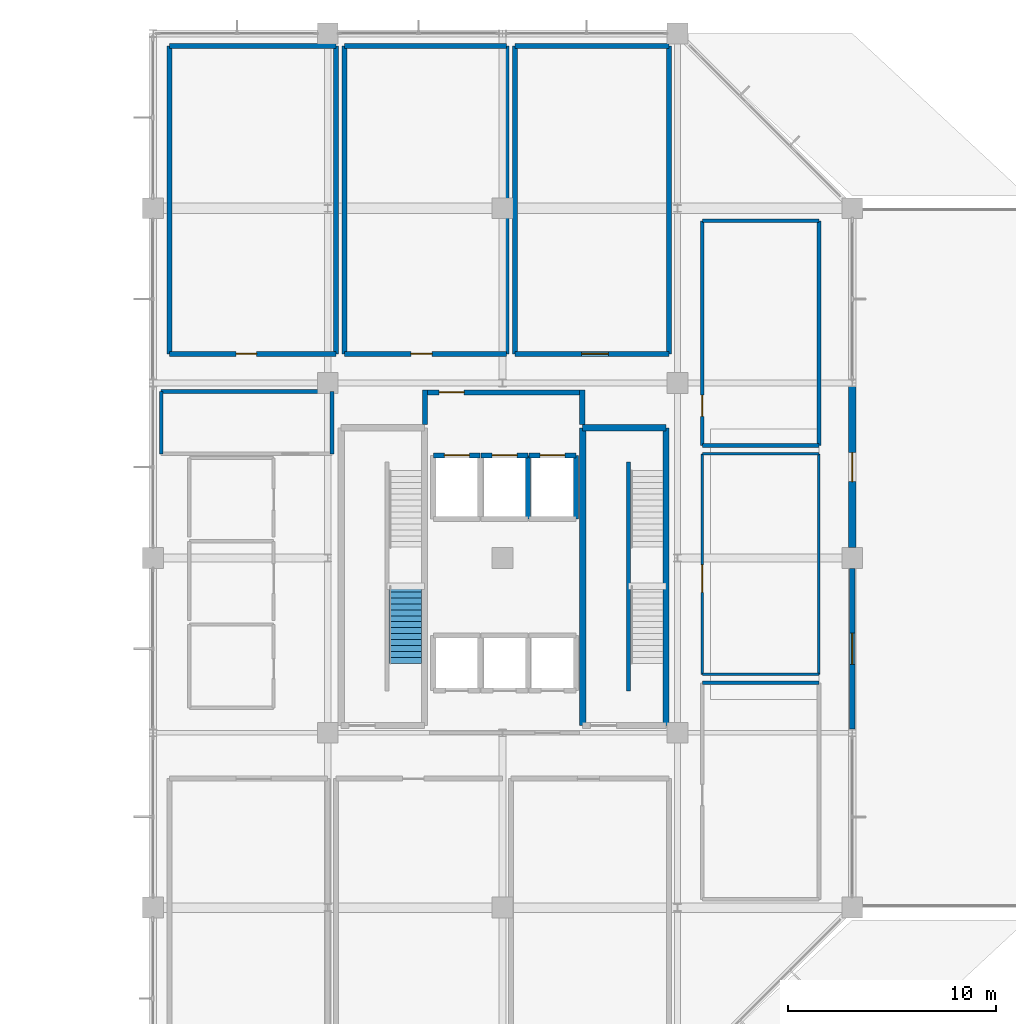
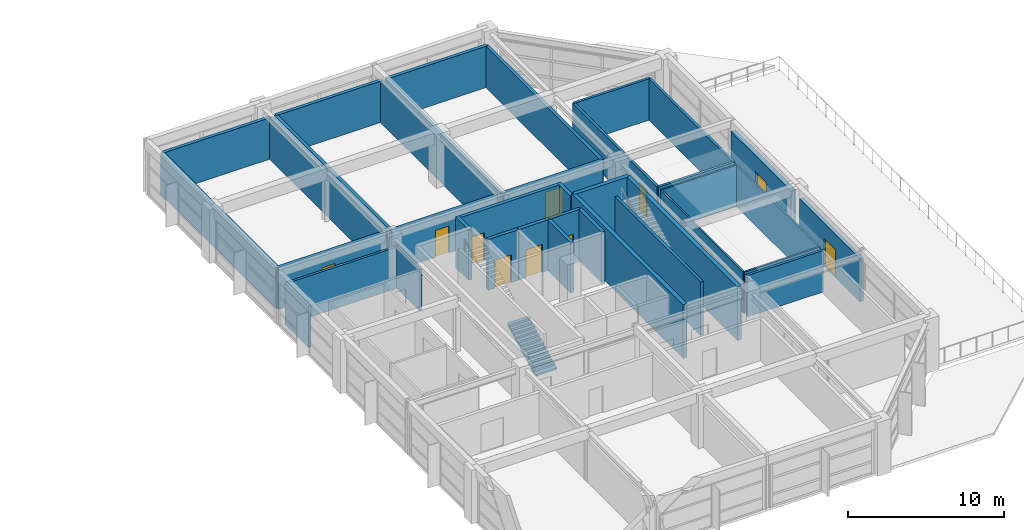
# One storey, part 18 of 21: 38 walls, 11 doors, 1 stair flight, 11 openings, 1 element without a shape of its own.
"""IFC4 building model written with IfcOpenShell, lengths in metres."""

from ifc_helpers import new_model, si_unit, direction, frame, frame_2d, origin, place, context, subcontext, project, spatial, polyline, rectangle, outline, extrude, material, layer, layer_set, type_object, element, fill, aggregate, save


model = new_model("IFC4")

# Units and contexts
model_context = context("Model", 3, precision=1e-05, world=origin(), true_north=direction((0.0, 1.0)))
body_context = subcontext(model_context, "Body", "Model", "MODEL_VIEW")
ifc_project = project(units=[si_unit("LENGTHUNIT", "METRE"), si_unit("AREAUNIT", "SQUARE_METRE"), si_unit("VOLUMEUNIT", "CUBIC_METRE"), si_unit("PLANEANGLEUNIT", "RADIAN"), si_unit("MASSUNIT", "GRAM", prefix="KILO")], contexts=[model_context])

# Site, building, storey
site_placement = place(None, origin())
site = spatial("IfcSite", under=ifc_project, at=site_placement, CompositionType="ELEMENT")
building_placement = place(site_placement, origin())
building = spatial("IfcBuilding", under=site, at=building_placement, Name="Xuanlan Plaza Opera House", CompositionType="ELEMENT")
storey_placement = place(building_placement, frame((0.0, 0.0, 44.699951171875)))
storey = spatial("IfcBuildingStorey", under=building, at=storey_placement, Name="L10", CompositionType="ELEMENT", Elevation=44.699951171875)

# Wall, opening, door
ifc_material_1 = material(Name="Anodised Aluminium 6063-T6 and Rockwool Cladding", Category="aluminium")
ifc_layer_1 = layer(ifc_material_1, 0.360107421875)
ifc_layer_set_1 = layer_set([ifc_layer_1], Name="Anodised Aluminium 6063-T6 and Rockwool Cladding")
wall_type_1 = type_object("IfcWallType", Name="ENV-WL-EW-01", PredefinedType="STANDARD", material=ifc_layer_set_1)
wall_1_placement = place(storey_placement, frame((159.60009765625, 59.300048828125, 0.0), z_axis=(0.0, 0.0, 1.0), x_axis=(0.0, 1.0, 0.0)))
wall_1 = element("IfcWall", 1, at=wall_1_placement, inside=storey, type_object=wall_type_1, Name="Exterior Wall L10-007", PredefinedType="STANDARD", context=body_context, shape_type="SweptSolid", body=[
    extrude(rectangle(XDim=7.724853515625, YDim=0.360107421875, at=frame_2d((3.8623046875, 0.0))), origin(), (0.0, 0.0, 1.0), 3.380126953125),
])
opening_1_placement = place(wall_1_placement, frame((3.1630859375, 0.0, 0.0)))
opening_1 = element("IfcOpeningElement", 2, at=opening_1_placement, cuts=wall_1, Name="Opening TD-03", PredefinedType="OPENING", context=body_context, shape_type="SweptSolid", body=[
    extrude(rectangle(XDim=1.39990234375, YDim=2.14990234375, at=frame_2d((0.699951171875, 1.074951171875))), frame((0.0, 0.18994140625, 0.0), z_axis=(0.0, -1.0, 0.0), x_axis=(1.0, 0.0, 0.0)), (0.0, 0.0, 1.0), 0.380126953125),
])
ifc_material_2 = material(Name="Anodised Aluminium 6063-T6 and Laminated Safety Glass", Category="aluminium")
door_type_1 = type_object("IfcDoorType", Name="ENV-DR-TD-03", OperationType="DOUBLE_DOOR_SINGLE_SWING", PredefinedType="DOOR", material=ifc_material_2)
door_1_placement = place(opening_1_placement, frame((1.39990234375, 0.0, 0.0), z_axis=(0.0, 0.0, 1.0), x_axis=(-1.0, 0.0, 0.0)))
door_1 = element("IfcDoor", 3, at=door_1_placement, inside=storey, type_object=door_type_1, Name="Terrace Access Door TERR-L10-07", OperationType="DOUBLE_DOOR_SINGLE_SWING", OverallHeight=2.14990234375, OverallWidth=1.39990234375, PredefinedType="DOOR", context=body_context, shape_type="SweptSolid", body=[
    extrude(rectangle(XDim=1.39990234375, YDim=2.14990234375, at=frame_2d((0.699951171875, 1.074951171875))), frame((0.0, 0.02490234375, 0.0), z_axis=(0.0, -1.0, 0.0), x_axis=(1.0, 0.0, 0.0)), (0.0, 0.0, 1.0), 0.050048828125),
])
fill(opening_1, door_1)

ifc_layer_2 = layer(ifc_material_1, 0.27001953125)
ifc_layer_set_2 = layer_set([ifc_layer_2], Name="Anodised Aluminium 6063-T6 and Rockwool Cladding")
wall_type_2 = type_object("IfcWallType", Name="ENV-WL-EW-06", PredefinedType="STANDARD", material=ifc_layer_set_2)
wall_2_placement = place(storey_placement, frame((159.60009765625, 50.574951171875, 0.0), z_axis=(0.0, 0.0, 1.0), x_axis=(0.0, 1.0, 0.0)))
wall_2 = element("IfcWall", 4, at=wall_2_placement, inside=storey, type_object=wall_type_2, Name="Exterior Wall L10-006", PredefinedType="STANDARD", context=body_context, shape_type="SweptSolid", body=[
    extrude(rectangle(XDim=7.72509765625, YDim=0.27001953125, at=frame_2d((3.862548828125, 0.0))), origin(), (0.0, 0.0, 1.0), 3.380126953125),
])
opening_2_placement = place(wall_2_placement, frame((3.112060546875, 0.0, 0.0)))
opening_2 = element("IfcOpeningElement", 5, at=opening_2_placement, cuts=wall_2, Name="Opening TD-02", PredefinedType="OPENING", context=body_context, shape_type="SweptSolid", body=[
    extrude(rectangle(XDim=1.5, YDim=2.199951171875, at=frame_2d((0.75, 1.10009765625))), frame((0.0, 0.14501953125, 0.0), z_axis=(0.0, -1.0, 0.0), x_axis=(1.0, 0.0, 0.0)), (0.0, 0.0, 1.0), 0.2900390625),
])
door_type_2 = type_object("IfcDoorType", Name="ENV-DR-TD-02", OperationType="DOUBLE_DOOR_SINGLE_SWING", PredefinedType="DOOR", material=ifc_material_2)
door_2_placement = place(opening_2_placement, frame((1.5, 0.0, 0.0), z_axis=(0.0, 0.0, 1.0), x_axis=(-1.0, 0.0, 0.0)))
door_2 = element("IfcDoor", 6, at=door_2_placement, inside=storey, type_object=door_type_2, Name="Terrace Access Door TERR-L10-06", OperationType="DOUBLE_DOOR_SINGLE_SWING", OverallHeight=2.199951171875, OverallWidth=1.5, PredefinedType="DOOR", context=body_context, shape_type="SweptSolid", body=[
    extrude(rectangle(XDim=1.5, YDim=2.199951171875, at=frame_2d((0.75, 1.10009765625))), frame((0.0, 0.02490234375, 0.0), z_axis=(0.0, -1.0, 0.0), x_axis=(1.0, 0.0, 0.0)), (0.0, 0.0, 1.0), 0.050048828125),
])
fill(opening_2, door_2)

ifc_material_3 = material(Name="Gypsum Board and Galvanised Steel Studs", Category="gypsum")
ifc_layer_3 = layer(ifc_material_3, 0.239990234375)
ifc_layer_set_3 = layer_set([ifc_layer_3], Name="Gypsum Board and Galvanised Steel Studs")
wall_type_3 = type_object("IfcWallType", Name="INT-WL-PW-01", PredefinedType="PARTITIONING", material=ifc_layer_set_3)
wall_3_placement = place(storey_placement, frame((126.800048828125, 68.60009765625, 0.0), z_axis=(0.0, 0.0, 1.0), x_axis=(1.0, 0.0, 0.0)))
wall_3 = element("IfcWall", 7, at=wall_3_placement, inside=storey, type_object=wall_type_3, Name="Chamber Coaching Studio 1 Wall South", PredefinedType="PARTITIONING", context=body_context, shape_type="SweptSolid", body=[
    extrude(rectangle(XDim=8.0, YDim=0.239990234375, at=frame_2d((4.0, 0.0))), origin(), (0.0, 0.0, 1.0), 3.239990234375),
])
opening_3_placement = place(wall_3_placement, frame((3.199951171875, 0.0, 0.0)))
opening_3 = element("IfcOpeningElement", 8, at=opening_3_placement, cuts=wall_3, Name="Opening D-09", PredefinedType="OPENING", context=body_context, shape_type="SweptSolid", body=[
    extrude(rectangle(XDim=0.97998046875, YDim=2.1201171875, at=frame_2d((0.489990234375, 1.06005859375))), frame((0.0, 0.1298828125, 0.0), z_axis=(0.0, -1.0, 0.0), x_axis=(1.0, 0.0, 0.0)), (0.0, 0.0, 1.0), 0.260009765625),
])
ifc_material_4 = material(Name="Walnut Hardwood Timber", Category="wood")
door_type_3 = type_object("IfcDoorType", Name="INT-DR-D-09", OperationType="NOTDEFINED", PredefinedType="DOOR", material=ifc_material_4)
door_3_placement = place(opening_3_placement, origin())
door_3 = element("IfcDoor", 9, at=door_3_placement, inside=storey, type_object=door_type_3, Name="Chamber Coaching Studio 1 Door 1", OperationType="SINGLE_SWING_RIGHT", OverallHeight=2.1201171875, OverallWidth=0.97998046875, PredefinedType="DOOR", context=body_context, shape_type="SweptSolid", body=[
    extrude(rectangle(XDim=0.97998046875, YDim=2.1201171875, at=frame_2d((0.489990234375, 1.06005859375))), frame((0.0, 0.02490234375, 0.0), z_axis=(0.0, -1.0, 0.0), x_axis=(1.0, 0.0, 0.0)), (0.0, 0.0, 1.0), 0.050048828125),
])
fill(opening_3, door_3)

# Walls
wall_4_placement = place(storey_placement, frame((126.800048828125, 83.39990234375, 0.0), z_axis=(0.0, 0.0, 1.0), x_axis=(1.0, 0.0, 0.0)))
element("IfcWall", 10, at=wall_4_placement, inside=storey, type_object=wall_type_3, Name="Chamber Coaching Studio 1 Wall North", PredefinedType="PARTITIONING", context=body_context, shape_type="SweptSolid", body=[
    extrude(rectangle(XDim=8.0, YDim=0.239990234375, at=frame_2d((4.0, 0.0))), origin(), (0.0, 0.0, 1.0), 3.239990234375),
])
for number, where, z_axis, x_axis, name in (
    (11, (126.800048828125, 68.60009765625, 0.0), (0.0, 0.0, 1.0), (0.0, 1.0, 0.0), "Chamber Coaching Studio 1 Wall West"),
    (12, (134.800048828125, 68.60009765625, 0.0), (0.0, 0.0, 1.0), (0.0, 1.0, 0.0), "Chamber Coaching Studio 1 Wall East"),
):
    element("IfcWall", number, at=place(storey_placement, frame(where, z_axis=z_axis, x_axis=x_axis)), inside=storey, type_object=wall_type_3, Name=name, PredefinedType="PARTITIONING", context=body_context, shape_type="SweptSolid", body=[
        extrude(rectangle(XDim=14.7998046875, YDim=0.239990234375, at=frame_2d((7.39990234375, 0.0))), origin(), (0.0, 0.0, 1.0), 3.239990234375),
    ])

# Wall, opening, door
wall_5_placement = place(storey_placement, frame((135.199951171875, 68.60009765625, 0.0), z_axis=(0.0, 0.0, 1.0), x_axis=(1.0, 0.0, 0.0)))
wall_5 = element("IfcWall", 13, at=wall_5_placement, inside=storey, type_object=wall_type_3, Name="Chamber Coaching Studio 2 Wall South", PredefinedType="PARTITIONING", context=body_context, shape_type="SweptSolid", body=[
    extrude(rectangle(XDim=7.800048828125, YDim=0.239990234375, at=frame_2d((3.89990234375, 0.0))), origin(), (0.0, 0.0, 1.0), 3.239990234375),
])
opening_4_placement = place(wall_5_placement, frame((3.199951171875, 0.0, 0.0)))
opening_4 = element("IfcOpeningElement", 14, at=opening_4_placement, cuts=wall_5, Name="Opening D-02", PredefinedType="OPENING", context=body_context, shape_type="SweptSolid", body=[
    extrude(rectangle(XDim=1.02001953125, YDim=2.10009765625, at=frame_2d((0.510009765625, 1.050048828125))), frame((0.0, 0.1298828125, 0.0), z_axis=(0.0, -1.0, 0.0), x_axis=(1.0, 0.0, 0.0)), (0.0, 0.0, 1.0), 0.260009765625),
])
ifc_material_5 = material(Name="Oak Hardwood Timber", Category="wood")
door_type_4 = type_object("IfcDoorType", Name="INT-DR-D-02", OperationType="NOTDEFINED", PredefinedType="DOOR", material=ifc_material_5)
door_4_placement = place(opening_4_placement, origin())
door_4 = element("IfcDoor", 15, at=door_4_placement, inside=storey, type_object=door_type_4, Name="Chamber Coaching Studio 2 Door 1", OperationType="SINGLE_SWING_LEFT", OverallHeight=2.10009765625, OverallWidth=1.02001953125, PredefinedType="DOOR", context=body_context, shape_type="SweptSolid", body=[
    extrude(rectangle(XDim=1.02001953125, YDim=2.10009765625, at=frame_2d((0.510009765625, 1.050048828125))), frame((0.0, 0.02490234375, 0.0), z_axis=(0.0, -1.0, 0.0), x_axis=(1.0, 0.0, 0.0)), (0.0, 0.0, 1.0), 0.050048828125),
])
fill(opening_4, door_4)

# Walls
wall_6_placement = place(storey_placement, frame((135.199951171875, 83.39990234375, 0.0), z_axis=(0.0, 0.0, 1.0), x_axis=(1.0, 0.0, 0.0)))
element("IfcWall", 16, at=wall_6_placement, inside=storey, type_object=wall_type_3, Name="Chamber Coaching Studio 2 Wall North", PredefinedType="PARTITIONING", context=body_context, shape_type="SweptSolid", body=[
    extrude(rectangle(XDim=7.800048828125, YDim=0.239990234375, at=frame_2d((3.89990234375, 0.0))), origin(), (0.0, 0.0, 1.0), 3.239990234375),
])
for number, where, z_axis, x_axis, name in (
    (17, (135.199951171875, 68.60009765625, 0.0), (0.0, 0.0, 1.0), (0.0, 1.0, 0.0), "Chamber Coaching Studio 2 Wall West"),
    (18, (143.0, 68.60009765625, 0.0), (0.0, 0.0, 1.0), (0.0, 1.0, 0.0), "Chamber Coaching Studio 2 Wall East"),
):
    element("IfcWall", number, at=place(storey_placement, frame(where, z_axis=z_axis, x_axis=x_axis)), inside=storey, type_object=wall_type_3, Name=name, PredefinedType="PARTITIONING", context=body_context, shape_type="SweptSolid", body=[
        extrude(rectangle(XDim=14.7998046875, YDim=0.239990234375, at=frame_2d((7.39990234375, 0.0))), origin(), (0.0, 0.0, 1.0), 3.239990234375),
    ])

# Wall, opening, door
wall_7_placement = place(storey_placement, frame((143.39990234375, 68.60009765625, 0.0), z_axis=(0.0, 0.0, 1.0), x_axis=(1.0, 0.0, 0.0)))
wall_7 = element("IfcWall", 19, at=wall_7_placement, inside=storey, type_object=wall_type_3, Name="Chamber Coaching Studio 3 Wall South", PredefinedType="PARTITIONING", context=body_context, shape_type="SweptSolid", body=[
    extrude(rectangle(XDim=7.400146484375, YDim=0.239990234375, at=frame_2d((3.7001953125, 0.0))), origin(), (0.0, 0.0, 1.0), 3.239990234375),
])
opening_5_placement = place(wall_7_placement, frame((3.199951171875, 0.0, 0.0)))
opening_5 = element("IfcOpeningElement", 20, at=opening_5_placement, cuts=wall_7, Name="Opening D-11", PredefinedType="OPENING", context=body_context, shape_type="SweptSolid", body=[
    extrude(rectangle(XDim=1.280029296875, YDim=2.159912109375, at=frame_2d((0.64013671875, 1.080078125))), frame((0.0, 0.1298828125, 0.0), z_axis=(0.0, -1.0, 0.0), x_axis=(1.0, 0.0, 0.0)), (0.0, 0.0, 1.0), 0.260009765625),
])
door_type_5 = type_object("IfcDoorType", Name="INT-DR-D-11", OperationType="NOTDEFINED", PredefinedType="DOOR", material=ifc_material_4)
door_5_placement = place(opening_5_placement, origin())
door_5 = element("IfcDoor", 21, at=door_5_placement, inside=storey, type_object=door_type_5, Name="Chamber Coaching Studio 3 Door 1", OperationType="SINGLE_SWING_RIGHT", OverallHeight=2.159912109375, OverallWidth=1.280029296875, PredefinedType="DOOR", context=body_context, shape_type="SweptSolid", body=[
    extrude(rectangle(XDim=1.280029296875, YDim=2.159912109375, at=frame_2d((0.64013671875, 1.080078125))), frame((0.0, 0.02490234375, 0.0), z_axis=(0.0, -1.0, 0.0), x_axis=(1.0, 0.0, 0.0)), (0.0, 0.0, 1.0), 0.050048828125),
])
fill(opening_5, door_5)

# Walls
wall_8_placement = place(storey_placement, frame((143.39990234375, 83.39990234375, 0.0), z_axis=(0.0, 0.0, 1.0), x_axis=(1.0, 0.0, 0.0)))
element("IfcWall", 22, at=wall_8_placement, inside=storey, type_object=wall_type_3, Name="Chamber Coaching Studio 3 Wall North", PredefinedType="PARTITIONING", context=body_context, shape_type="SweptSolid", body=[
    extrude(rectangle(XDim=7.400146484375, YDim=0.239990234375, at=frame_2d((3.7001953125, 0.0))), origin(), (0.0, 0.0, 1.0), 3.239990234375),
])
for number, where, z_axis, x_axis, name in (
    (23, (143.39990234375, 68.60009765625, 0.0), (0.0, 0.0, 1.0), (0.0, 1.0, 0.0), "Chamber Coaching Studio 3 Wall West"),
    (24, (150.800048828125, 68.60009765625, 0.0), (0.0, 0.0, 1.0), (0.0, 1.0, 0.0), "Chamber Coaching Studio 3 Wall East"),
):
    element("IfcWall", number, at=place(storey_placement, frame(where, z_axis=z_axis, x_axis=x_axis)), inside=storey, type_object=wall_type_3, Name=name, PredefinedType="PARTITIONING", context=body_context, shape_type="SweptSolid", body=[
        extrude(rectangle(XDim=14.7998046875, YDim=0.239990234375, at=frame_2d((7.39990234375, 0.0))), origin(), (0.0, 0.0, 1.0), 3.239990234375),
    ])
ifc_layer_4 = layer(ifc_material_3, 0.179931640625)
ifc_layer_set_4 = layer_set([ifc_layer_4], Name="Gypsum Board and Galvanised Steel Studs")
wall_type_4 = type_object("IfcWallType", Name="INT-WL-PW-02", PredefinedType="PARTITIONING", material=ifc_layer_set_4)
for number, where, z_axis, x_axis, name in (
    (25, (152.39990234375, 52.800048828125, 0.0), (0.0, 0.0, 1.0), (1.0, 0.0, 0.0), "Libretto and Media Editing Room 1 Wall North"),
    (26, (152.39990234375, 64.199951171875, 0.0), (0.0, 0.0, 1.0), (1.0, 0.0, 0.0), "Libretto and Media Editing Room 3 Wall South"),
    (27, (152.39990234375, 75.0, 0.0), (0.0, 0.0, 1.0), (1.0, 0.0, 0.0), "Libretto and Media Editing Room 3 Wall North"),
):
    element("IfcWall", number, at=place(storey_placement, frame(where, z_axis=z_axis, x_axis=x_axis)), inside=storey, type_object=wall_type_4, Name=name, PredefinedType="PARTITIONING", context=body_context, shape_type="SweptSolid", body=[
        extrude(rectangle(XDim=5.60009765625, YDim=0.179931640625, at=frame_2d((2.800048828125, 0.0))), origin(), (0.0, 0.0, 1.0), 3.239990234375),
    ])

# Wall, opening, door
wall_9_placement = place(storey_placement, frame((152.39990234375, 64.199951171875, 0.0), z_axis=(0.0, 0.0, 1.0), x_axis=(0.0, 1.0, 0.0)))
wall_9 = element("IfcWall", 28, at=wall_9_placement, inside=storey, type_object=wall_type_4, Name="Libretto and Media Editing Room 3 Wall West", PredefinedType="PARTITIONING", context=body_context, shape_type="SweptSolid", body=[
    extrude(rectangle(XDim=10.800048828125, YDim=0.179931640625, at=frame_2d((5.39990234375, 0.0))), origin(), (0.0, 0.0, 1.0), 3.239990234375),
])
opening_6_placement = place(wall_9_placement, frame((1.39990234375, 0.0, 0.0)))
opening_6 = element("IfcOpeningElement", 29, at=opening_6_placement, cuts=wall_9, Name="Opening D-02", PredefinedType="OPENING", context=body_context, shape_type="SweptSolid", body=[
    extrude(rectangle(XDim=1.02001953125, YDim=2.10009765625, at=frame_2d((0.510009765625, 1.050048828125))), frame((0.0, 0.099853515625, 0.0), z_axis=(0.0, -1.0, 0.0), x_axis=(1.0, 0.0, 0.0)), (0.0, 0.0, 1.0), 0.199951171875),
])
door_6_placement = place(opening_6_placement, origin())
door_6 = element("IfcDoor", 30, at=door_6_placement, inside=storey, type_object=door_type_4, Name="Libretto and Media Editing Room 3 Door 1", OperationType="SINGLE_SWING_LEFT", OverallHeight=2.10009765625, OverallWidth=1.02001953125, PredefinedType="DOOR", context=body_context, shape_type="SweptSolid", body=[
    extrude(rectangle(XDim=1.02001953125, YDim=2.10009765625, at=frame_2d((0.510009765625, 1.050048828125))), frame((0.0, 0.02490234375, 0.0), z_axis=(0.0, -1.0, 0.0), x_axis=(1.0, 0.0, 0.0)), (0.0, 0.0, 1.0), 0.050048828125),
])
fill(opening_6, door_6)

# Walls
wall_10_placement = place(storey_placement, frame((158.0, 64.199951171875, 0.0), z_axis=(0.0, 0.0, 1.0), x_axis=(0.0, 1.0, 0.0)))
element("IfcWall", 31, at=wall_10_placement, inside=storey, type_object=wall_type_4, Name="Libretto and Media Editing Room 3 Wall East", PredefinedType="PARTITIONING", context=body_context, shape_type="SweptSolid", body=[
    extrude(rectangle(XDim=10.800048828125, YDim=0.179931640625, at=frame_2d((5.39990234375, 0.0))), origin(), (0.0, 0.0, 1.0), 3.239990234375),
])
wall_11_placement = place(storey_placement, frame((126.39990234375, 66.800048828125, 0.0), z_axis=(0.0, 0.0, 1.0), x_axis=(1.0, 0.0, 0.0)))
element("IfcWall", 32, at=wall_11_placement, inside=storey, type_object=wall_type_4, Name="Acoustics Research Studio Wall North", PredefinedType="PARTITIONING", context=body_context, shape_type="SweptSolid", body=[
    extrude(rectangle(XDim=8.2001953125, YDim=0.179931640625, at=frame_2d((4.10009765625, 0.0))), origin(), (0.0, 0.0, 1.0), 3.239990234375),
])
for number, where, z_axis, x_axis, name in (
    (33, (126.39990234375, 63.800048828125, 0.0), (0.0, 0.0, 1.0), (0.0, 1.0, 0.0), "Acoustics Research Studio Wall West"),
    (34, (134.60009765625, 63.800048828125, 0.0), (0.0, 0.0, 1.0), (0.0, 1.0, 0.0), "Acoustics Research Studio Wall East"),
):
    element("IfcWall", number, at=place(storey_placement, frame(where, z_axis=z_axis, x_axis=x_axis)), inside=storey, type_object=wall_type_4, Name=name, PredefinedType="PARTITIONING", context=body_context, shape_type="SweptSolid", body=[
        extrude(rectangle(XDim=3.0, YDim=0.179931640625, at=frame_2d((1.5, 0.0))), origin(), (0.0, 0.0, 1.0), 3.239990234375),
    ])
ifc_layer_5 = layer(ifc_material_3, 0.1201171875)
ifc_layer_set_5 = layer_set([ifc_layer_5], Name="Gypsum Board and Galvanised Steel Studs")
wall_type_5 = type_object("IfcWallType", Name="INT-WL-PW-04", PredefinedType="PARTITIONING", material=ifc_layer_set_5)
for number, where, z_axis, x_axis, name in (
    (35, (152.39990234375, 53.199951171875, 0.0), (0.0, 0.0, 1.0), (1.0, 0.0, 0.0), "Libretto and Media Editing Room 2 Wall South"),
    (36, (152.39990234375, 63.800048828125, 0.0), (0.0, 0.0, 1.0), (1.0, 0.0, 0.0), "Libretto and Media Editing Room 2 Wall North"),
):
    element("IfcWall", number, at=place(storey_placement, frame(where, z_axis=z_axis, x_axis=x_axis)), inside=storey, type_object=wall_type_5, Name=name, PredefinedType="PARTITIONING", context=body_context, shape_type="SweptSolid", body=[
        extrude(rectangle(XDim=5.60009765625, YDim=0.1201171875, at=frame_2d((2.800048828125, 0.0))), origin(), (0.0, 0.0, 1.0), 3.239990234375),
    ])

# Wall, opening, door
wall_12_placement = place(storey_placement, frame((152.39990234375, 53.199951171875, 0.0), z_axis=(0.0, 0.0, 1.0), x_axis=(0.0, 1.0, 0.0)))
wall_12 = element("IfcWall", 37, at=wall_12_placement, inside=storey, type_object=wall_type_5, Name="Libretto and Media Editing Room 2 Wall West", PredefinedType="PARTITIONING", context=body_context, shape_type="SweptSolid", body=[
    extrude(rectangle(XDim=10.60009765625, YDim=0.1201171875, at=frame_2d((5.300048828125, 0.0))), origin(), (0.0, 0.0, 1.0), 3.239990234375),
])
opening_7_placement = place(wall_12_placement, frame((3.949951171875, 0.0, 0.0)))
opening_7 = element("IfcOpeningElement", 38, at=opening_7_placement, cuts=wall_12, Name="Opening D-07", PredefinedType="OPENING", context=body_context, shape_type="SweptSolid", body=[
    extrude(rectangle(XDim=1.320068359375, YDim=2.179931640625, at=frame_2d((0.66015625, 1.08984375))), frame((0.0, 0.070068359375, 0.0), z_axis=(0.0, -1.0, 0.0), x_axis=(1.0, 0.0, 0.0)), (0.0, 0.0, 1.0), 0.14013671875),
])
door_type_6 = type_object("IfcDoorType", Name="INT-DR-D-07", OperationType="NOTDEFINED", PredefinedType="DOOR", material=ifc_material_4)
door_7_placement = place(opening_7_placement, origin())
door_7 = element("IfcDoor", 39, at=door_7_placement, inside=storey, type_object=door_type_6, Name="Libretto and Media Editing Room 2 Door 1", OperationType="SINGLE_SWING_LEFT", OverallHeight=2.179931640625, OverallWidth=1.320068359375, PredefinedType="DOOR", context=body_context, shape_type="SweptSolid", body=[
    extrude(rectangle(XDim=1.320068359375, YDim=2.179931640625, at=frame_2d((0.66015625, 1.08984375))), frame((0.0, 0.02490234375, 0.0), z_axis=(0.0, -1.0, 0.0), x_axis=(1.0, 0.0, 0.0)), (0.0, 0.0, 1.0), 0.050048828125),
])
fill(opening_7, door_7)

# Wall
wall_13_placement = place(storey_placement, frame((158.0, 53.199951171875, 0.0), z_axis=(0.0, 0.0, 1.0), x_axis=(0.0, 1.0, 0.0)))
element("IfcWall", 40, at=wall_13_placement, inside=storey, type_object=wall_type_5, Name="Libretto and Media Editing Room 2 Wall East", PredefinedType="PARTITIONING", context=body_context, shape_type="SweptSolid", body=[
    extrude(rectangle(XDim=10.60009765625, YDim=0.1201171875, at=frame_2d((5.300048828125, 0.0))), origin(), (0.0, 0.0, 1.0), 3.239990234375),
])

# Wall, opening, door
ifc_material_6 = material(Name="Concrete C40", Category="concrete")
ifc_layer_6 = layer(ifc_material_6, 0.25)
ifc_layer_set_6 = layer_set([ifc_layer_6], Name="Concrete C40")
wall_type_6 = type_object("IfcWallType", Name="INT-WL-SW-LF1", PredefinedType="SHEAR", material=ifc_layer_set_6)
wall_14_placement = place(storey_placement, frame((139.47509765625, 63.72509765625, 0.0), z_axis=(0.0, 0.0, 1.0), x_axis=(1.0, 0.0, 0.0)))
wall_14 = element("IfcWall", 41, at=wall_14_placement, inside=storey, type_object=wall_type_6, Name="Lift Shaft Wall LF-FF1 L10 North", PredefinedType="SHEAR", context=body_context, shape_type="SweptSolid", body=[
    extrude(rectangle(XDim=2.25, YDim=0.25, at=frame_2d((1.125, 0.0))), origin(), (0.0, 0.0, 1.0), 3.9599609375),
])
opening_8_placement = place(wall_14_placement, frame((0.52490234375, 0.0, 0.0)))
opening_8 = element("IfcOpeningElement", 42, at=opening_8_placement, cuts=wall_14, Name="Opening LD-FF1-L10", PredefinedType="OPENING", context=body_context, shape_type="SweptSolid", body=[
    extrude(rectangle(XDim=1.199951171875, YDim=2.179931640625, at=frame_2d((0.60009765625, 1.08984375))), frame((0.0, 0.135009765625, 0.0), z_axis=(0.0, -1.0, 0.0), x_axis=(1.0, 0.0, 0.0)), (0.0, 0.0, 1.0), 0.27001953125),
])
ifc_material_7 = material(Name="Stainless Steel S30408", Category="steel")
door_type_7 = type_object("IfcDoorType", Name="INT-DR-LD-02", OperationType="DOUBLE_DOOR_SLIDING", PredefinedType="DOOR", material=ifc_material_7)
door_8_placement = place(opening_8_placement, origin())
door_8 = element("IfcDoor", 43, at=door_8_placement, inside=storey, type_object=door_type_7, Name="Lift Sliding Landing Door LF-FF1 L10", OperationType="DOUBLE_DOOR_SLIDING", OverallHeight=2.179931640625, OverallWidth=1.199951171875, PredefinedType="DOOR", context=body_context, shape_type="SweptSolid", body=[
    extrude(rectangle(XDim=1.199951171875, YDim=2.179931640625, at=frame_2d((0.60009765625, 1.08984375))), frame((0.0, 0.02490234375, 0.0), z_axis=(0.0, -1.0, 0.0), x_axis=(1.0, 0.0, 0.0)), (0.0, 0.0, 1.0), 0.050048828125),
])
fill(opening_8, door_8)

wall_15_placement = place(storey_placement, frame((141.77490234375, 63.72509765625, 0.0), z_axis=(0.0, 0.0, 1.0), x_axis=(1.0, 0.0, 0.0)))
wall_15 = element("IfcWall", 44, at=wall_15_placement, inside=storey, type_object=wall_type_6, Name="Lift Shaft Wall LF-FF2 L10 North", PredefinedType="SHEAR", context=body_context, shape_type="SweptSolid", body=[
    extrude(rectangle(XDim=2.25, YDim=0.25, at=frame_2d((1.125, 0.0))), origin(), (0.0, 0.0, 1.0), 3.9599609375),
])
opening_9_placement = place(wall_15_placement, frame((0.52490234375, 0.0, 0.0)))
opening_9 = element("IfcOpeningElement", 45, at=opening_9_placement, cuts=wall_15, Name="Opening LD-FF2-L10", PredefinedType="OPENING", context=body_context, shape_type="SweptSolid", body=[
    extrude(rectangle(XDim=1.199951171875, YDim=2.179931640625, at=frame_2d((0.60009765625, 1.08984375))), frame((0.0, 0.135009765625, 0.0), z_axis=(0.0, -1.0, 0.0), x_axis=(1.0, 0.0, 0.0)), (0.0, 0.0, 1.0), 0.27001953125),
])
door_9_placement = place(opening_9_placement, origin())
door_9 = element("IfcDoor", 46, at=door_9_placement, inside=storey, type_object=door_type_7, Name="Lift Sliding Landing Door LF-FF2 L10", OperationType="DOUBLE_DOOR_SLIDING", OverallHeight=2.179931640625, OverallWidth=1.199951171875, PredefinedType="DOOR", context=body_context, shape_type="SweptSolid", body=[
    extrude(rectangle(XDim=1.199951171875, YDim=2.179931640625, at=frame_2d((0.60009765625, 1.08984375))), frame((0.0, 0.02490234375, 0.0), z_axis=(0.0, -1.0, 0.0), x_axis=(1.0, 0.0, 0.0)), (0.0, 0.0, 1.0), 0.050048828125),
])
fill(opening_9, door_9)

# Wall
wall_16_placement = place(storey_placement, frame((144.02490234375, 60.675048828125, 0.0), z_axis=(0.0, 0.0, 1.0), x_axis=(0.0, 1.0, 0.0)))
element("IfcWall", 47, at=wall_16_placement, inside=storey, type_object=wall_type_6, Name="Lift Shaft Wall LF-FF2 L10 East", PredefinedType="SHEAR", context=body_context, shape_type="SweptSolid", body=[
    extrude(rectangle(XDim=3.050048828125, YDim=0.25, at=frame_2d((1.52490234375, 0.0))), origin(), (0.0, 0.0, 1.0), 3.9599609375),
])

# Wall, opening, door
wall_17_placement = place(storey_placement, frame((144.074951171875, 63.72509765625, 0.0), z_axis=(0.0, 0.0, 1.0), x_axis=(1.0, 0.0, 0.0)))
wall_17 = element("IfcWall", 48, at=wall_17_placement, inside=storey, type_object=wall_type_6, Name="Lift Shaft Wall LF-FF3 L10 North", PredefinedType="SHEAR", context=body_context, shape_type="SweptSolid", body=[
    extrude(rectangle(XDim=2.25, YDim=0.25, at=frame_2d((1.125, 0.0))), origin(), (0.0, 0.0, 1.0), 3.9599609375),
])
opening_10_placement = place(wall_17_placement, frame((0.52490234375, 0.0, 0.0)))
opening_10 = element("IfcOpeningElement", 49, at=opening_10_placement, cuts=wall_17, Name="Opening LD-FF3-L10", PredefinedType="OPENING", context=body_context, shape_type="SweptSolid", body=[
    extrude(rectangle(XDim=1.199951171875, YDim=2.179931640625, at=frame_2d((0.60009765625, 1.08984375))), frame((0.0, 0.135009765625, 0.0), z_axis=(0.0, -1.0, 0.0), x_axis=(1.0, 0.0, 0.0)), (0.0, 0.0, 1.0), 0.27001953125),
])
door_10_placement = place(opening_10_placement, origin())
door_10 = element("IfcDoor", 50, at=door_10_placement, inside=storey, type_object=door_type_7, Name="Lift Sliding Landing Door LF-FF3 L10", OperationType="DOUBLE_DOOR_SLIDING", OverallHeight=2.179931640625, OverallWidth=1.199951171875, PredefinedType="DOOR", context=body_context, shape_type="SweptSolid", body=[
    extrude(rectangle(XDim=1.199951171875, YDim=2.179931640625, at=frame_2d((0.60009765625, 1.08984375))), frame((0.0, 0.02490234375, 0.0), z_axis=(0.0, -1.0, 0.0), x_axis=(1.0, 0.0, 0.0)), (0.0, 0.0, 1.0), 0.050048828125),
])
fill(opening_10, door_10)

# Walls
wall_18_placement = place(storey_placement, frame((146.324951171875, 60.675048828125, 0.0), z_axis=(0.0, 0.0, 1.0), x_axis=(0.0, 1.0, 0.0)))
element("IfcWall", 51, at=wall_18_placement, inside=storey, type_object=wall_type_6, Name="Lift Shaft Wall LF-FF3 L10 East", PredefinedType="SHEAR", context=body_context, shape_type="SweptSolid", body=[
    extrude(rectangle(XDim=3.050048828125, YDim=0.25, at=frame_2d((1.52490234375, 0.0))), origin(), (0.0, 0.0, 1.0), 3.9599609375),
])
for number, where, z_axis, x_axis, name in (
    (52, (139.074951171875, 65.199951171875, 0.0), (0.0, 0.0, 1.0), (0.0, 1.0, 0.0), "Firefighting Lift Lobby Enclosure Wall L10 W"),
    (53, (146.625, 65.199951171875, 0.0), (0.0, 0.0, 1.0), (0.0, 1.0, 0.0), "Firefighting Lift Lobby Enclosure Wall L10 E"),
):
    element("IfcWall", number, at=place(storey_placement, frame(where, z_axis=z_axis, x_axis=x_axis)), inside=storey, type_object=wall_type_6, Name=name, PredefinedType="SHEAR", context=body_context, shape_type="SweptSolid", body=[
        extrude(rectangle(XDim=1.675048828125, YDim=0.25, at=frame_2d((0.83740234375, 0.0))), origin(), (0.0, 0.0, 1.0), 3.9599609375),
    ])

# Wall, opening, door
wall_19_placement = place(storey_placement, frame((139.199951171875, 66.75, 0.0), z_axis=(0.0, 0.0, 1.0), x_axis=(1.0, 0.0, 0.0)))
wall_19 = element("IfcWall", 54, at=wall_19_placement, inside=storey, type_object=wall_type_6, Name="Firefighting Lift Lobby Wall North", PredefinedType="SHEAR", context=body_context, shape_type="SweptSolid", body=[
    extrude(rectangle(XDim=7.300048828125, YDim=0.25, at=frame_2d((3.64990234375, 0.0))), origin(), (0.0, 0.0, 1.0), 3.9599609375),
])
opening_11_placement = place(wall_19_placement, frame((0.550048828125, 0.0, 0.0)))
opening_11 = element("IfcOpeningElement", 55, at=opening_11_placement, cuts=wall_19, Name="Opening FD-02", PredefinedType="OPENING", context=body_context, shape_type="SweptSolid", body=[
    extrude(rectangle(XDim=1.199951171875, YDim=2.14990234375, at=frame_2d((0.60009765625, 1.074951171875))), frame((0.0, 0.135009765625, 0.0), z_axis=(0.0, -1.0, 0.0), x_axis=(1.0, 0.0, 0.0)), (0.0, 0.0, 1.0), 0.27001953125),
])
ifc_material_8 = material(Name="Galvanised Steel Q235B", Category="steel")
door_type_8 = type_object("IfcDoorType", Name="INT-DR-FD-02", OperationType="NOTDEFINED", PredefinedType="DOOR", material=ifc_material_8)
door_11_placement = place(opening_11_placement, origin())
door_11 = element("IfcDoor", 56, at=door_11_placement, inside=storey, type_object=door_type_8, Name="Firefighting Lift Lobby Door 1", OperationType="SINGLE_SWING_RIGHT", OverallHeight=2.14990234375, OverallWidth=1.199951171875, PredefinedType="DOOR", context=body_context, shape_type="SweptSolid", body=[
    extrude(rectangle(XDim=1.199951171875, YDim=2.14990234375, at=frame_2d((0.60009765625, 1.074951171875))), frame((0.0, 0.02490234375, 0.0), z_axis=(0.0, -1.0, 0.0), x_axis=(1.0, 0.0, 0.0)), (0.0, 0.0, 1.0), 0.050048828125),
])
fill(opening_11, door_11)

# Walls
ifc_layer_7 = layer(ifc_material_6, 0.199951171875)
ifc_layer_set_7 = layer_set([ifc_layer_7], Name="Concrete C40")
wall_type_7 = type_object("IfcWallType", Name="INT-WL-SW-SPN", PredefinedType="SHEAR", material=ifc_layer_set_7)
wall_20_placement = place(storey_placement, frame((148.85009765625, 52.39990234375, 0.0), z_axis=(0.0, 0.0, 1.0), x_axis=(0.0, 1.0, 0.0)))
element("IfcWall", 57, at=wall_20_placement, inside=storey, type_object=wall_type_7, Name="Stair Structural Spine Wall ST-T2 L10", PredefinedType="SHEAR", context=body_context, shape_type="SweptSolid", body=[
    extrude(rectangle(XDim=11.0, YDim=0.199951171875, at=frame_2d((5.5, 0.0))), origin(), (0.0, 0.0, 1.0), 4.199951171875),
])
ifc_layer_8 = layer(ifc_material_6, 0.300048828125)
ifc_layer_set_8 = layer_set([ifc_layer_8], Name="Concrete C40")
wall_type_8 = type_object("IfcWallType", Name="INT-WL-SW-ST1", PredefinedType="SHEAR", material=ifc_layer_set_8)
wall_21_placement = place(storey_placement, frame((146.64990234375, 65.050048828125, 0.0), z_axis=(0.0, 0.0, 1.0), x_axis=(1.0, 0.0, 0.0)))
element("IfcWall", 58, at=wall_21_placement, inside=storey, type_object=wall_type_8, Name="Stair Core Wall ST-T2 L10 North", PredefinedType="SHEAR", context=body_context, shape_type="SweptSolid", body=[
    extrude(rectangle(XDim=4.0, YDim=0.300048828125, at=frame_2d((2.0, 0.0))), origin(), (0.0, 0.0, 1.0), 4.199951171875),
])
for number, where, z_axis, x_axis, name in (
    (59, (146.64990234375, 50.75, 0.0), (0.0, 0.0, 1.0), (0.0, 1.0, 0.0), "Stair Core Wall ST-T2 L10 West"),
    (60, (150.64990234375, 50.75, 0.0), (0.0, 0.0, 1.0), (0.0, 1.0, 0.0), "Stair Core Wall ST-T2 L10 East"),
):
    element("IfcWall", number, at=place(storey_placement, frame(where, z_axis=z_axis, x_axis=x_axis)), inside=storey, type_object=wall_type_8, Name=name, PredefinedType="SHEAR", context=body_context, shape_type="SweptSolid", body=[
        extrude(rectangle(XDim=14.300048828125, YDim=0.300048828125, at=frame_2d((7.14990234375, 0.0))), origin(), (0.0, 0.0, 1.0), 4.199951171875),
    ])

# Stair, stair flight
stair_type = type_object("IfcStairType", Name="INT-ST-STR-T155", PredefinedType="STRAIGHT_RUN_STAIR", material=ifc_material_6)
stair_placement = place(storey_placement, origin())
stair = element("IfcStair", 61, at=stair_placement, inside=storey, type_object=stair_type, Name="Protected Exit Stair ST-T1 L10", PredefinedType="STRAIGHT_RUN_STAIR")
ifc_layer_9 = layer(ifc_material_6, 0.159912109375)
ifc_layer_set_9 = layer_set([ifc_layer_9], Name="Concrete C40")
stair_flight_type = type_object("IfcStairFlightType", Name="INT-FL-FL-155", PredefinedType="STRAIGHT", material=ifc_layer_set_9)
stair_flight_placement = place(storey_placement, frame((138.125, 53.739990234375, 0.0), z_axis=(0.0, 0.0, 1.0), x_axis=(0.0, 1.0, 0.0)))
stair_flight = element("IfcStairFlight", 62, at=stair_flight_placement, type_object=stair_flight_type, Name="ST-T1-L10 flight 1", NumberOfRisers=14, NumberOfTreads=13, PredefinedType="STRAIGHT", RiserHeight=0.15, TreadLength=0.285, context=body_context, shape_type="SweptSolid", body=[
    extrude(outline(polyline([(0.0, 0.0), (0.0, 0.14990234375), (0.284912109375, 0.14990234375), (0.284912109375, 0.300048828125), (0.570068359375, 0.300048828125), (0.570068359375, 0.449951171875), (0.85498046875, 0.449951171875), (0.85498046875, 0.60009765625), (1.139892578125, 0.60009765625), (1.139892578125, 0.75), (1.425048828125, 0.75), (1.425048828125, 0.89990234375), (1.7099609375, 0.89990234375), (1.7099609375, 1.050048828125), (1.9951171875, 1.050048828125), (1.9951171875, 1.199951171875), (2.280029296875, 1.199951171875), (2.280029296875, 1.35009765625), (2.56494140625, 1.35009765625), (2.56494140625, 1.5), (2.85009765625, 1.5), (2.85009765625, 1.64990234375), (3.135009765625, 1.64990234375), (3.135009765625, 1.800048828125), (3.419921875, 1.800048828125), (3.419921875, 1.949951171875), (3.705078125, 1.949951171875), (3.705078125, 2.10009765625), (3.705078125, 1.769287109375), (0.34326171875, 0.0), (0.0, 0.0)])), frame((0.0, 0.77490234375, 0.0), z_axis=(0.0, -1.0, 0.0), x_axis=(1.0, 0.0, 0.0)), (0.0, 0.0, 1.0), 1.550048828125),
])
aggregate(stair, [stair_flight])

save(model, "model.ifc")
